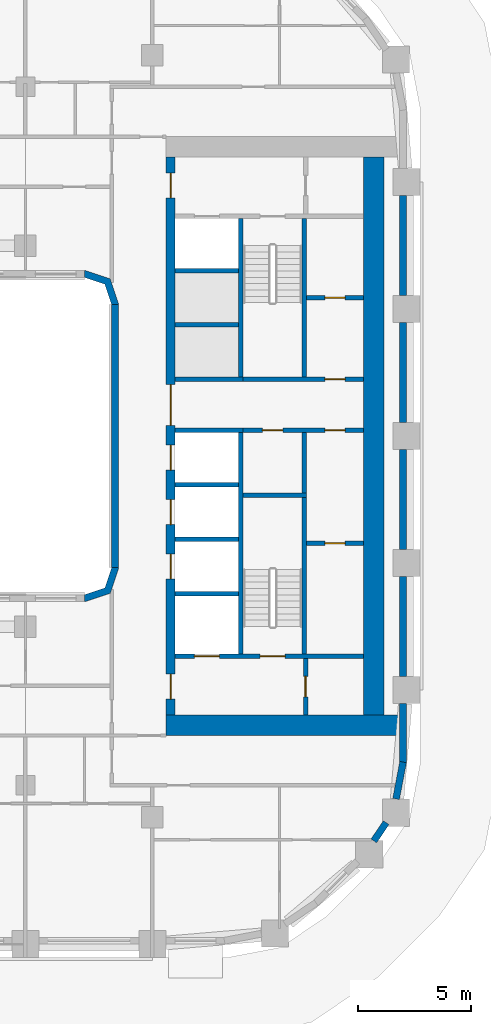
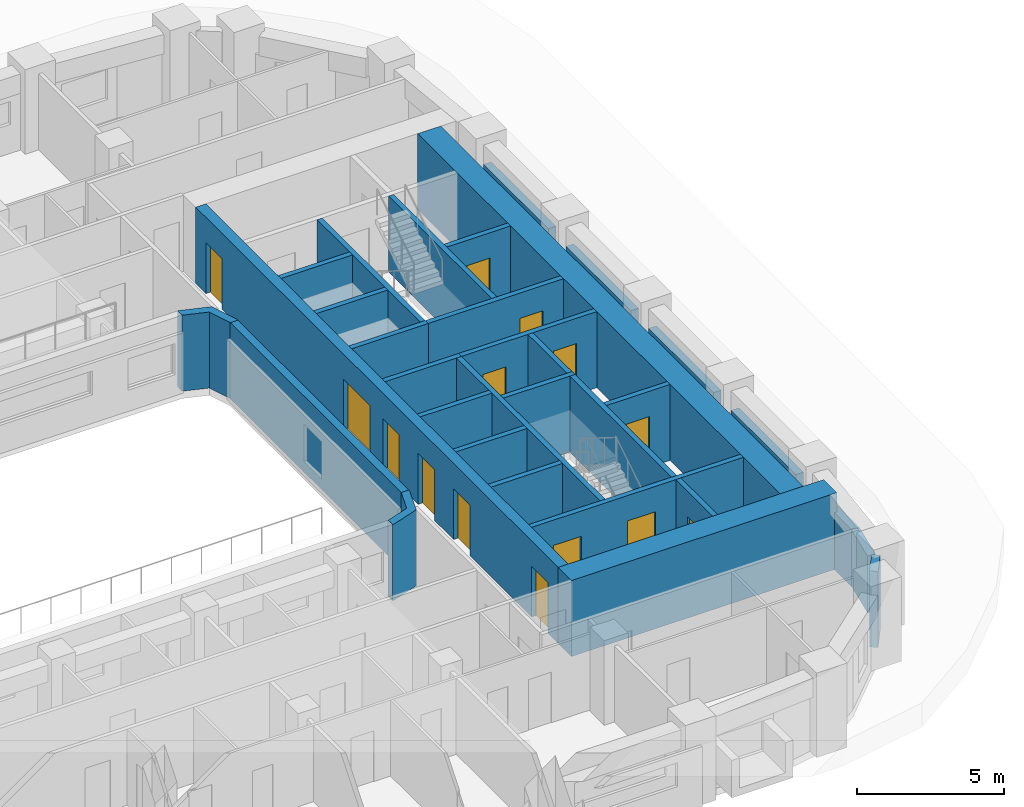
# One storey, part 7 of 18: 32 walls, 14 doors, 14 openings.
"""IFC4 building model written with IfcOpenShell, lengths in metres."""

from ifc_helpers import new_model, si_unit, direction, frame, frame_2d, origin, place, context, subcontext, project, spatial, polyline, rectangle, outline, extrude, material, layer, layer_set, type_object, element, fill, save


model = new_model("IFC4")

# Units and contexts
model_context = context("Model", 3, precision=1e-05, world=origin(), true_north=direction((0.0, 1.0)))
body_context = subcontext(model_context, "Body", "Model", "MODEL_VIEW")
ifc_project = project(units=[si_unit("LENGTHUNIT", "METRE"), si_unit("AREAUNIT", "SQUARE_METRE"), si_unit("VOLUMEUNIT", "CUBIC_METRE"), si_unit("PLANEANGLEUNIT", "RADIAN"), si_unit("MASSUNIT", "GRAM", prefix="KILO")], contexts=[model_context])

# Site, building, storey
site_placement = place(None, origin())
site = spatial("IfcSite", under=ifc_project, at=site_placement, CompositionType="ELEMENT")
building_placement = place(site_placement, origin())
building = spatial("IfcBuilding", under=site, at=building_placement, Name="Kiln Ring Residences", CompositionType="ELEMENT")
storey_placement = place(building_placement, frame((0.0, 0.0, 121.800048828125)))
storey = spatial("IfcBuildingStorey", under=building, at=storey_placement, Name="L31", CompositionType="ELEMENT", Elevation=121.800048828125)

# Wall
ifc_material_1 = material(Name="Gypsum board on steel studs", Category="steel")
ifc_layer_1 = layer(ifc_material_1, 0.199951171875)
ifc_layer_set_1 = layer_set([ifc_layer_1], Name="CORE-PARTITION-200")
wall_type_1 = type_object("IfcWallType", Name="CORE-PARTITION-200", PredefinedType="PARTITIONING", material=ifc_layer_set_1)
wall_1_placement = place(storey_placement, frame((23.5, -2.5, 0.0), z_axis=(0.0, 0.0, 1.0), x_axis=(0.0, 1.0, 0.0)))
element("IfcWall", 1, at=wall_1_placement, inside=storey, type_object=wall_type_1, Name="Core partition east L31 1", PredefinedType="PARTITIONING", context=body_context, shape_type="SweptSolid", body=[
    extrude(rectangle(XDim=2.64990234375, YDim=0.199951171875, at=frame_2d((1.324951171875, 0.0))), origin(), (0.0, 0.0, 1.0), 3.14990234375),
])

# Wall, openings, doors
wall_2_placement = place(storey_placement, frame((20.800048828125, 0.25, 0.0), z_axis=(0.0, 0.0, 1.0), x_axis=(1.0, 0.0, 0.0)))
wall_2 = element("IfcWall", 2, at=wall_2_placement, inside=storey, type_object=wall_type_1, Name="Core partition east L31 2", PredefinedType="PARTITIONING", context=body_context, shape_type="SweptSolid", body=[
    extrude(rectangle(XDim=5.300048828125, YDim=0.199951171875, at=frame_2d((2.64990234375, 0.0))), origin(), (0.0, 0.0, 1.0), 3.14990234375),
])
opening_1_placement = place(wall_2_placement, frame((0.85009765625, 0.0, 0.0)))
opening_1 = element("IfcOpeningElement", 3, at=opening_1_placement, cuts=wall_2, Name="Opening L31-CE13", PredefinedType="OPENING", context=body_context, shape_type="SweptSolid", body=[
    extrude(rectangle(XDim=0.89990234375, YDim=2.10009765625, at=frame_2d((0.449951171875, 1.050048828125))), frame((0.0, 0.10986328125, 0.0), z_axis=(0.0, -1.0, 0.0), x_axis=(1.0, 0.0, 0.0)), (0.0, 0.0, 1.0), 0.219970703125),
])
opening_2_placement = place(wall_2_placement, frame((3.60009765625, 0.0, 0.0)))
opening_2 = element("IfcOpeningElement", 4, at=opening_2_placement, cuts=wall_2, Name="Opening L31-CE15", PredefinedType="OPENING", context=body_context, shape_type="SweptSolid", body=[
    extrude(rectangle(XDim=0.89990234375, YDim=2.10009765625, at=frame_2d((0.449951171875, 1.050048828125))), frame((0.0, 0.10986328125, 0.0), z_axis=(0.0, -1.0, 0.0), x_axis=(1.0, 0.0, 0.0)), (0.0, 0.0, 1.0), 0.219970703125),
])
ifc_material_2 = material(Name="Steel door leaf", Category="steel")
door_type_1 = type_object("IfcDoorType", Name="CORE-DOOR-ROOM", OperationType="SINGLE_SWING_LEFT", PredefinedType="DOOR", material=ifc_material_2)
door_1_placement = place(opening_1_placement, origin())
door_1 = element("IfcDoor", 5, at=door_1_placement, inside=storey, type_object=door_type_1, Name="Comms room L31-CE13", OperationType="SINGLE_SWING_RIGHT", OverallHeight=2.10009765625, OverallWidth=0.89990234375, PredefinedType="DOOR", context=body_context, shape_type="SweptSolid", body=[
    extrude(rectangle(XDim=0.89990234375, YDim=2.10009765625, at=frame_2d((0.449951171875, 1.050048828125))), frame((0.0, 0.02490234375, 0.0), z_axis=(0.0, -1.0, 0.0), x_axis=(1.0, 0.0, 0.0)), (0.0, 0.0, 1.0), 0.050048828125),
])
fill(opening_1, door_1)
door_2_placement = place(opening_2_placement, origin())
door_2 = element("IfcDoor", 6, at=door_2_placement, inside=storey, type_object=door_type_1, Name="Meter room L31-CE15", OperationType="SINGLE_SWING_RIGHT", OverallHeight=2.10009765625, OverallWidth=0.89990234375, PredefinedType="DOOR", context=body_context, shape_type="SweptSolid", body=[
    extrude(rectangle(XDim=0.89990234375, YDim=2.10009765625, at=frame_2d((0.449951171875, 1.050048828125))), frame((0.0, 0.02490234375, 0.0), z_axis=(0.0, -1.0, 0.0), x_axis=(1.0, 0.0, 0.0)), (0.0, 0.0, 1.0), 0.050048828125),
])
fill(opening_2, door_2)

# Wall, opening, door
wall_3_placement = place(storey_placement, frame((23.550048828125, -12.300048828125, 0.0), z_axis=(0.0, 0.0, 1.0), x_axis=(0.0, 1.0, 0.0)))
wall_3 = element("IfcWall", 7, at=wall_3_placement, inside=storey, type_object=wall_type_1, Name="Core partition east L31 4", PredefinedType="PARTITIONING", context=body_context, shape_type="SweptSolid", body=[
    extrude(rectangle(XDim=2.5, YDim=0.199951171875, at=frame_2d((1.25, 0.0))), origin(), (0.0, 0.0, 1.0), 3.14990234375),
])
opening_3_placement = place(wall_3_placement, frame((0.800048828125, 0.0, 0.0)))
opening_3 = element("IfcOpeningElement", 8, at=opening_3_placement, cuts=wall_3, Name="Opening L31-CE09", PredefinedType="OPENING", context=body_context, shape_type="SweptSolid", body=[
    extrude(rectangle(XDim=0.89990234375, YDim=2.10009765625, at=frame_2d((0.449951171875, 1.050048828125))), frame((0.0, 0.10986328125, 0.0), z_axis=(0.0, -1.0, 0.0), x_axis=(1.0, 0.0, 0.0)), (0.0, 0.0, 1.0), 0.219970703125),
])
door_3_placement = place(opening_3_placement, origin())
door_3 = element("IfcDoor", 9, at=door_3_placement, inside=storey, type_object=door_type_1, Name="Store L31-CE09", OperationType="SINGLE_SWING_RIGHT", OverallHeight=2.10009765625, OverallWidth=0.89990234375, PredefinedType="DOOR", context=body_context, shape_type="SweptSolid", body=[
    extrude(rectangle(XDim=0.89990234375, YDim=2.10009765625, at=frame_2d((0.449951171875, 1.050048828125))), frame((0.0, 0.02490234375, 0.0), z_axis=(0.0, -1.0, 0.0), x_axis=(1.0, 0.0, 0.0)), (0.0, 0.0, 1.0), 0.050048828125),
])
fill(opening_3, door_3)

wall_4_placement = place(storey_placement, frame((23.60009765625, -4.72509765625, 0.0), z_axis=(0.0, 0.0, 1.0), x_axis=(1.0, 0.0, 0.0)))
wall_4 = element("IfcWall", 10, at=wall_4_placement, inside=storey, type_object=wall_type_1, Name="Core partition east L31 5", PredefinedType="PARTITIONING", context=body_context, shape_type="SweptSolid", body=[
    extrude(rectangle(XDim=2.5, YDim=0.199951171875, at=frame_2d((1.25, 0.0))), origin(), (0.0, 0.0, 1.0), 3.14990234375),
])
opening_4_placement = place(wall_4_placement, frame((0.800048828125, 0.0, 0.0)))
opening_4 = element("IfcOpeningElement", 11, at=opening_4_placement, cuts=wall_4, Name="Opening L31-CE14", PredefinedType="OPENING", context=body_context, shape_type="SweptSolid", body=[
    extrude(rectangle(XDim=0.89990234375, YDim=2.10009765625, at=frame_2d((0.449951171875, 1.050048828125))), frame((0.0, 0.10986328125, 0.0), z_axis=(0.0, -1.0, 0.0), x_axis=(1.0, 0.0, 0.0)), (0.0, 0.0, 1.0), 0.219970703125),
])
door_4_placement = place(opening_4_placement, origin())
door_4 = element("IfcDoor", 12, at=door_4_placement, inside=storey, type_object=door_type_1, Name="Meter room L31-CE14", OperationType="SINGLE_SWING_RIGHT", OverallHeight=2.10009765625, OverallWidth=0.89990234375, PredefinedType="DOOR", context=body_context, shape_type="SweptSolid", body=[
    extrude(rectangle(XDim=0.89990234375, YDim=2.10009765625, at=frame_2d((0.449951171875, 1.050048828125))), frame((0.0, 0.02490234375, 0.0), z_axis=(0.0, -1.0, 0.0), x_axis=(1.0, 0.0, 0.0)), (0.0, 0.0, 1.0), 0.050048828125),
])
fill(opening_4, door_4)

wall_5_placement = place(storey_placement, frame((23.60009765625, 6.10009765625, 0.0), z_axis=(0.0, 0.0, 1.0), x_axis=(1.0, 0.0, 0.0)))
wall_5 = element("IfcWall", 13, at=wall_5_placement, inside=storey, type_object=wall_type_1, Name="Core partition east L31 6", PredefinedType="PARTITIONING", context=body_context, shape_type="SweptSolid", body=[
    extrude(rectangle(XDim=2.5, YDim=0.199951171875, at=frame_2d((1.25, 0.0))), origin(), (0.0, 0.0, 1.0), 3.14990234375),
])
opening_5_placement = place(wall_5_placement, frame((0.800048828125, 0.0, 0.0)))
opening_5 = element("IfcOpeningElement", 14, at=opening_5_placement, cuts=wall_5, Name="Opening L31-CE16", PredefinedType="OPENING", context=body_context, shape_type="SweptSolid", body=[
    extrude(rectangle(XDim=0.89990234375, YDim=2.10009765625, at=frame_2d((0.449951171875, 1.050048828125))), frame((0.0, 0.10986328125, 0.0), z_axis=(0.0, -1.0, 0.0), x_axis=(1.0, 0.0, 0.0)), (0.0, 0.0, 1.0), 0.219970703125),
])
door_5_placement = place(opening_5_placement, origin())
door_5 = element("IfcDoor", 15, at=door_5_placement, inside=storey, type_object=door_type_1, Name="Comms room L31-CE16", OperationType="SINGLE_SWING_RIGHT", OverallHeight=2.10009765625, OverallWidth=0.89990234375, PredefinedType="DOOR", context=body_context, shape_type="SweptSolid", body=[
    extrude(rectangle(XDim=0.89990234375, YDim=2.10009765625, at=frame_2d((0.449951171875, 1.050048828125))), frame((0.0, 0.02490234375, 0.0), z_axis=(0.0, -1.0, 0.0), x_axis=(1.0, 0.0, 0.0)), (0.0, 0.0, 1.0), 0.050048828125),
])
fill(opening_5, door_5)

# Walls
ifc_material_3 = material(Name="Gypsum shaft wall system")
ifc_layer_2 = layer(ifc_material_3, 0.199951171875)
ifc_layer_set_2 = layer_set([ifc_layer_2], Name="CORE-SHAFT-WALL-200")
wall_type_2 = type_object("IfcWallType", Name="CORE-SHAFT-WALL-200", PredefinedType="PARTITIONING", material=ifc_layer_set_2)
for number, where, z_axis, x_axis, name in (
    (16, (17.800048828125, -6.949951171875, 0.0), (0.0, 0.0, 1.0), (1.0, 0.0, 0.0), "Core partition east L31 7"),
    (17, (17.800048828125, -4.550048828125, 0.0), (0.0, 0.0, 1.0), (1.0, 0.0, 0.0), "Core partition east L31 8"),
    (18, (17.800048828125, -2.14990234375, 0.0), (0.0, 0.0, 1.0), (1.0, 0.0, 0.0), "Core partition east L31 9"),
):
    element("IfcWall", number, at=place(storey_placement, frame(where, z_axis=z_axis, x_axis=x_axis)), inside=storey, type_object=wall_type_2, Name=name, PredefinedType="PARTITIONING", context=body_context, shape_type="SweptSolid", body=[
        extrude(rectangle(XDim=2.800048828125, YDim=0.199951171875, at=frame_2d((1.39990234375, 0.0))), origin(), (0.0, 0.0, 1.0), 3.14990234375),
    ])
for number, where, z_axis, x_axis, name in (
    (19, (17.800048828125, 0.25, 0.0), (0.0, 0.0, 1.0), (1.0, 0.0, 0.0), "Core partition east L31 10"),
    (20, (17.800048828125, 2.5, 0.0), (0.0, 0.0, 1.0), (1.0, 0.0, 0.0), "Core partition east L31 11"),
):
    element("IfcWall", number, at=place(storey_placement, frame(where, z_axis=z_axis, x_axis=x_axis)), inside=storey, type_object=wall_type_2, Name=name, PredefinedType="PARTITIONING", context=body_context, shape_type="SweptSolid", body=[
        extrude(rectangle(XDim=3.0, YDim=0.199951171875, at=frame_2d((1.5, 0.0))), origin(), (0.0, 0.0, 1.0), 3.14990234375),
    ])
for number, where, z_axis, x_axis, name in (
    (21, (17.800048828125, 4.89990234375, 0.0), (0.0, 0.0, 1.0), (1.0, 0.0, 0.0), "Core partition east L31 12"),
    (22, (17.800048828125, 7.300048828125, 0.0), (0.0, 0.0, 1.0), (1.0, 0.0, 0.0), "Core partition east L31 13"),
):
    element("IfcWall", number, at=place(storey_placement, frame(where, z_axis=z_axis, x_axis=x_axis)), inside=storey, type_object=wall_type_2, Name=name, PredefinedType="PARTITIONING", context=body_context, shape_type="SweptSolid", body=[
        extrude(rectangle(XDim=2.800048828125, YDim=0.199951171875, at=frame_2d((1.39990234375, 0.0))), origin(), (0.0, 0.0, 1.0), 3.14990234375),
    ])
ifc_material_4 = material(Name="Concrete C40/50", Category="concrete")
ifc_layer_3 = layer(ifc_material_4, 0.199951171875)
ifc_layer_set_3 = layer_set([ifc_layer_3], Name="CORE-WALL-RC200")
wall_type_3 = type_object("IfcWallType", Name="CORE-WALL-RC200", PredefinedType="SHEAR", material=ifc_layer_set_3)
wall_6_placement = place(storey_placement, frame((20.699951171875, 2.60009765625, 0.0), z_axis=(0.0, 0.0, 1.0), x_axis=(0.0, 1.0, 0.0)))
element("IfcWall", 23, at=wall_6_placement, inside=storey, type_object=wall_type_3, Name="Core wall east L31 1", PredefinedType="SHEAR", context=body_context, shape_type="SweptSolid", body=[
    extrude(rectangle(XDim=7.0, YDim=0.199951171875, at=frame_2d((3.5, 0.0))), origin(), (0.0, 0.0, 1.0), 3.14990234375),
])
wall_7_placement = place(storey_placement, frame((20.699951171875, -9.60009765625, 0.0), z_axis=(0.0, 0.0, 1.0), x_axis=(0.0, 1.0, 0.0)))
element("IfcWall", 24, at=wall_7_placement, inside=storey, type_object=wall_type_3, Name="Core wall east L31 2", PredefinedType="SHEAR", context=body_context, shape_type="SweptSolid", body=[
    extrude(rectangle(XDim=9.75, YDim=0.199951171875, at=frame_2d((4.875, 0.0))), origin(), (0.0, 0.0, 1.0), 3.14990234375),
])

# Wall, opening, door
wall_8_placement = place(storey_placement, frame((20.800048828125, 2.5, 0.0), z_axis=(0.0, 0.0, 1.0), x_axis=(1.0, 0.0, 0.0)))
wall_8 = element("IfcWall", 25, at=wall_8_placement, inside=storey, type_object=wall_type_3, Name="Core wall east L31 3", PredefinedType="SHEAR", context=body_context, shape_type="SweptSolid", body=[
    extrude(rectangle(XDim=5.300048828125, YDim=0.199951171875, at=frame_2d((2.64990234375, 0.0))), origin(), (0.0, 0.0, 1.0), 3.14990234375),
])
opening_6_placement = place(wall_8_placement, frame((3.60009765625, 0.0, 0.0)))
opening_6 = element("IfcOpeningElement", 26, at=opening_6_placement, cuts=wall_8, Name="Opening L31-CE17", PredefinedType="OPENING", context=body_context, shape_type="SweptSolid", body=[
    extrude(rectangle(XDim=0.89990234375, YDim=2.10009765625, at=frame_2d((0.449951171875, 1.050048828125))), frame((0.0, 0.10986328125, 0.0), z_axis=(0.0, -1.0, 0.0), x_axis=(1.0, 0.0, 0.0)), (0.0, 0.0, 1.0), 0.219970703125),
])
door_6_placement = place(opening_6_placement, origin())
door_6 = element("IfcDoor", 27, at=door_6_placement, inside=storey, type_object=door_type_1, Name="Electrical plant room L31-CE17", OperationType="SINGLE_SWING_LEFT", OverallHeight=2.10009765625, OverallWidth=0.89990234375, PredefinedType="DOOR", context=body_context, shape_type="SweptSolid", body=[
    extrude(rectangle(XDim=0.89990234375, YDim=2.10009765625, at=frame_2d((0.449951171875, 1.050048828125))), frame((0.0, 0.02490234375, 0.0), z_axis=(0.0, -1.0, 0.0), x_axis=(1.0, 0.0, 0.0)), (0.0, 0.0, 1.0), 0.050048828125),
])
fill(opening_6, door_6)

# Wall, openings, doors
wall_9_placement = place(storey_placement, frame((17.800048828125, -9.699951171875, 0.0), z_axis=(0.0, 0.0, 1.0), x_axis=(1.0, 0.0, 0.0)))
wall_9 = element("IfcWall", 28, at=wall_9_placement, inside=storey, type_object=wall_type_3, Name="Core wall east L31 8", PredefinedType="SHEAR", context=body_context, shape_type="SweptSolid", body=[
    extrude(rectangle(XDim=8.300048828125, YDim=0.199951171875, at=frame_2d((4.14990234375, 0.0))), origin(), (0.0, 0.0, 1.0), 3.14990234375),
])
opening_7_placement = place(wall_9_placement, frame((0.85009765625, 0.0, 0.0)))
opening_7 = element("IfcOpeningElement", 29, at=opening_7_placement, cuts=wall_9, Name="Opening L31-CE01", PredefinedType="OPENING", context=body_context, shape_type="SweptSolid", body=[
    extrude(rectangle(XDim=1.10009765625, YDim=2.10009765625, at=frame_2d((0.550048828125, 1.050048828125))), frame((0.0, 0.10986328125, 0.0), z_axis=(0.0, -1.0, 0.0), x_axis=(1.0, 0.0, 0.0)), (0.0, 0.0, 1.0), 0.219970703125),
])
opening_8_placement = place(wall_9_placement, frame((3.75, 0.0, 0.0)))
opening_8 = element("IfcOpeningElement", 30, at=opening_8_placement, cuts=wall_9, Name="Opening L31-CE11", PredefinedType="OPENING", context=body_context, shape_type="SweptSolid", body=[
    extrude(rectangle(XDim=1.10009765625, YDim=2.10009765625, at=frame_2d((0.550048828125, 1.050048828125))), frame((0.0, 0.10986328125, 0.0), z_axis=(0.0, -1.0, 0.0), x_axis=(1.0, 0.0, 0.0)), (0.0, 0.0, 1.0), 0.219970703125),
])
ifc_material_5 = material(Name="Steel door leaf", Category="steel")
door_type_2 = type_object("IfcDoorType", Name="CORE-DOOR-LD", OperationType="DOUBLE_DOOR_SLIDING", PredefinedType="DOOR", material=ifc_material_5)
door_7_placement = place(opening_7_placement, origin())
door_7 = element("IfcDoor", 31, at=door_7_placement, inside=storey, type_object=door_type_2, Name="LD E-SV L31-CE01", OperationType="DOUBLE_DOOR_SLIDING", OverallHeight=2.10009765625, OverallWidth=1.10009765625, PredefinedType="DOOR", context=body_context, shape_type="SweptSolid", body=[
    extrude(rectangle(XDim=1.10009765625, YDim=2.10009765625, at=frame_2d((0.550048828125, 1.050048828125))), frame((0.0, 0.02490234375, 0.0), z_axis=(0.0, -1.0, 0.0), x_axis=(1.0, 0.0, 0.0)), (0.0, 0.0, 1.0), 0.050048828125),
])
fill(opening_7, door_7)
ifc_material_6 = material(Name="Steel door leaf", Category="steel")
door_type_3 = type_object("IfcDoorType", Name="CORE-DOOR-STAIR", OperationType="SINGLE_SWING_LEFT", PredefinedType="DOOR", material=ifc_material_6)
door_8_placement = place(opening_8_placement, origin())
door_8 = element("IfcDoor", 32, at=door_8_placement, inside=storey, type_object=door_type_3, Name="Stair E-STS L31-CE11", OperationType="SINGLE_SWING_LEFT", OverallHeight=2.10009765625, OverallWidth=1.10009765625, PredefinedType="DOOR", context=body_context, shape_type="SweptSolid", body=[
    extrude(rectangle(XDim=1.10009765625, YDim=2.10009765625, at=frame_2d((0.550048828125, 1.050048828125))), frame((0.0, 0.02490234375, 0.0), z_axis=(0.0, -1.0, 0.0), x_axis=(1.0, 0.0, 0.0)), (0.0, 0.0, 1.0), 0.050048828125),
])
fill(opening_8, door_8)

# Walls
wall_10_placement = place(storey_placement, frame((23.5, 2.60009765625, 0.0), z_axis=(0.0, 0.0, 1.0), x_axis=(0.0, 1.0, 0.0)))
element("IfcWall", 33, at=wall_10_placement, inside=storey, type_object=wall_type_3, Name="Core wall east L31 10", PredefinedType="SHEAR", context=body_context, shape_type="SweptSolid", body=[
    extrude(rectangle(XDim=7.0, YDim=0.199951171875, at=frame_2d((3.5, 0.0))), origin(), (0.0, 0.0, 1.0), 3.14990234375),
])
wall_11_placement = place(storey_placement, frame((23.5, -9.60009765625, 0.0), z_axis=(0.0, 0.0, 1.0), x_axis=(0.0, 1.0, 0.0)))
element("IfcWall", 34, at=wall_11_placement, inside=storey, type_object=wall_type_3, Name="Core wall east L31 11", PredefinedType="SHEAR", context=body_context, shape_type="SweptSolid", body=[
    extrude(rectangle(XDim=6.900146484375, YDim=0.199951171875, at=frame_2d((3.4501953125, 0.0))), origin(), (0.0, 0.0, 1.0), 3.14990234375),
])
wall_12_placement = place(storey_placement, frame((20.800048828125, -2.60009765625, 0.0), z_axis=(0.0, 0.0, 1.0), x_axis=(1.0, 0.0, 0.0)))
element("IfcWall", 35, at=wall_12_placement, inside=storey, type_object=wall_type_3, Name="Core wall east L31 12", PredefinedType="SHEAR", context=body_context, shape_type="SweptSolid", body=[
    extrude(rectangle(XDim=2.800048828125, YDim=0.199951171875, at=frame_2d((1.39990234375, 0.0))), origin(), (0.0, 0.0, 1.0), 3.14990234375),
])

# Wall, openings, doors
ifc_material_7 = material(Name="Concrete C60/75", Category="concrete")
ifc_layer_4 = layer(ifc_material_7, 0.39990234375)
ifc_layer_set_4 = layer_set([ifc_layer_4], Name="CORE-WALL-RC400")
wall_type_4 = type_object("IfcWallType", Name="CORE-WALL-RC400", PredefinedType="SHEAR", material=ifc_layer_set_4)
wall_13_placement = place(storey_placement, frame((17.60009765625, -12.300048828125, 0.0), z_axis=(0.0, 0.0, 1.0), x_axis=(0.0, 1.0, 0.0)))
wall_13 = element("IfcWall", 36, at=wall_13_placement, inside=storey, type_object=wall_type_4, Name="Core wall east L31 6", PredefinedType="SHEAR", context=body_context, shape_type="SweptSolid", body=[
    extrude(rectangle(XDim=24.60009765625, YDim=0.39990234375, at=frame_2d((12.300048828125, 0.0))), origin(), (0.0, 0.0, 1.0), 3.14990234375),
])
opening_9_placement = place(wall_13_placement, frame((6.0, 0.0, 0.0)))
opening_9 = element("IfcOpeningElement", 37, at=opening_9_placement, cuts=wall_13, Name="Opening L31-CE02", PredefinedType="OPENING", context=body_context, shape_type="SweptSolid", body=[
    extrude(rectangle(XDim=1.10009765625, YDim=2.10009765625, at=frame_2d((0.550048828125, 1.050048828125))), frame((0.0, 0.2099609375, 0.0), z_axis=(0.0, -1.0, 0.0), x_axis=(1.0, 0.0, 0.0)), (0.0, 0.0, 1.0), 0.419921875),
])
opening_10_placement = place(wall_13_placement, frame((8.39990234375, 0.0, 0.0)))
opening_10 = element("IfcOpeningElement", 38, at=opening_10_placement, cuts=wall_13, Name="Opening L31-CE03", PredefinedType="OPENING", context=body_context, shape_type="SweptSolid", body=[
    extrude(rectangle(XDim=1.10009765625, YDim=2.10009765625, at=frame_2d((0.550048828125, 1.050048828125))), frame((0.0, 0.2099609375, 0.0), z_axis=(0.0, -1.0, 0.0), x_axis=(1.0, 0.0, 0.0)), (0.0, 0.0, 1.0), 0.419921875),
])
opening_11_placement = place(wall_13_placement, frame((10.800048828125, 0.0, 0.0)))
opening_11 = element("IfcOpeningElement", 39, at=opening_11_placement, cuts=wall_13, Name="Opening L31-CE04", PredefinedType="OPENING", context=body_context, shape_type="SweptSolid", body=[
    extrude(rectangle(XDim=1.10009765625, YDim=2.10009765625, at=frame_2d((0.550048828125, 1.050048828125))), frame((0.0, 0.2099609375, 0.0), z_axis=(0.0, -1.0, 0.0), x_axis=(1.0, 0.0, 0.0)), (0.0, 0.0, 1.0), 0.419921875),
])
opening_12_placement = place(wall_13_placement, frame((22.800048828125, 0.0, 0.0)))
opening_12 = element("IfcOpeningElement", 40, at=opening_12_placement, cuts=wall_13, Name="Opening L31-CE06", PredefinedType="OPENING", context=body_context, shape_type="SweptSolid", body=[
    extrude(rectangle(XDim=1.10009765625, YDim=2.10009765625, at=frame_2d((0.550048828125, 1.050048828125))), frame((0.0, 0.2099609375, 0.0), z_axis=(0.0, -1.0, 0.0), x_axis=(1.0, 0.0, 0.0)), (0.0, 0.0, 1.0), 0.419921875),
])
opening_13_placement = place(wall_13_placement, frame((0.699951171875, 0.0, 0.0)))
opening_13 = element("IfcOpeningElement", 41, at=opening_13_placement, cuts=wall_13, Name="Opening L31-CE07", PredefinedType="OPENING", context=body_context, shape_type="SweptSolid", body=[
    extrude(rectangle(XDim=1.10009765625, YDim=2.10009765625, at=frame_2d((0.550048828125, 1.050048828125))), frame((0.0, 0.2099609375, 0.0), z_axis=(0.0, -1.0, 0.0), x_axis=(1.0, 0.0, 0.0)), (0.0, 0.0, 1.0), 0.419921875),
])
opening_14_placement = place(wall_13_placement, frame((12.77490234375, 0.0, 0.0)))
opening_14 = element("IfcOpeningElement", 42, at=opening_14_placement, cuts=wall_13, Name="Opening L31-CE12", PredefinedType="OPENING", context=body_context, shape_type="SweptSolid", body=[
    extrude(rectangle(XDim=1.800048828125, YDim=2.10009765625, at=frame_2d((0.89990234375, 1.050048828125))), frame((0.0, 0.2099609375, 0.0), z_axis=(0.0, -1.0, 0.0), x_axis=(1.0, 0.0, 0.0)), (0.0, 0.0, 1.0), 0.419921875),
])
door_9_placement = place(opening_9_placement, origin())
door_9 = element("IfcDoor", 43, at=door_9_placement, inside=storey, type_object=door_type_2, Name="LD E-L1 L31-CE02", OperationType="DOUBLE_DOOR_SLIDING", OverallHeight=2.10009765625, OverallWidth=1.10009765625, PredefinedType="DOOR", context=body_context, shape_type="SweptSolid", body=[
    extrude(rectangle(XDim=1.10009765625, YDim=2.10009765625, at=frame_2d((0.550048828125, 1.050048828125))), frame((0.0, 0.02490234375, 0.0), z_axis=(0.0, -1.0, 0.0), x_axis=(1.0, 0.0, 0.0)), (0.0, 0.0, 1.0), 0.050048828125),
])
fill(opening_9, door_9)
door_10_placement = place(opening_10_placement, origin())
door_10 = element("IfcDoor", 44, at=door_10_placement, inside=storey, type_object=door_type_2, Name="LD E-L2 L31-CE03", OperationType="DOUBLE_DOOR_SLIDING", OverallHeight=2.10009765625, OverallWidth=1.10009765625, PredefinedType="DOOR", context=body_context, shape_type="SweptSolid", body=[
    extrude(rectangle(XDim=1.10009765625, YDim=2.10009765625, at=frame_2d((0.550048828125, 1.050048828125))), frame((0.0, 0.02490234375, 0.0), z_axis=(0.0, -1.0, 0.0), x_axis=(1.0, 0.0, 0.0)), (0.0, 0.0, 1.0), 0.050048828125),
])
fill(opening_10, door_10)
door_11_placement = place(opening_11_placement, origin())
door_11 = element("IfcDoor", 45, at=door_11_placement, inside=storey, type_object=door_type_2, Name="LD E-L3 L31-CE04", OperationType="DOUBLE_DOOR_SLIDING", OverallHeight=2.10009765625, OverallWidth=1.10009765625, PredefinedType="DOOR", context=body_context, shape_type="SweptSolid", body=[
    extrude(rectangle(XDim=1.10009765625, YDim=2.10009765625, at=frame_2d((0.550048828125, 1.050048828125))), frame((0.0, 0.02490234375, 0.0), z_axis=(0.0, -1.0, 0.0), x_axis=(1.0, 0.0, 0.0)), (0.0, 0.0, 1.0), 0.050048828125),
])
fill(opening_11, door_11)
ifc_material_8 = material(Name="Steel door leaf", Category="steel")
door_type_4 = type_object("IfcDoorType", Name="CORE-DOOR-LOBBY", OperationType="SINGLE_SWING_LEFT", PredefinedType="DOOR", material=ifc_material_8)
door_12_placement = place(opening_12_placement, origin())
door_12 = element("IfcDoor", 46, at=door_12_placement, inside=storey, type_object=door_type_4, Name="FFL L31-CE06", OperationType="SINGLE_SWING_RIGHT", OverallHeight=2.10009765625, OverallWidth=1.10009765625, PredefinedType="DOOR", context=body_context, shape_type="SweptSolid", body=[
    extrude(rectangle(XDim=1.10009765625, YDim=2.10009765625, at=frame_2d((0.550048828125, 1.050048828125))), frame((0.0, 0.02490234375, 0.0), z_axis=(0.0, -1.0, 0.0), x_axis=(1.0, 0.0, 0.0)), (0.0, 0.0, 1.0), 0.050048828125),
])
fill(opening_12, door_12)
door_13_placement = place(opening_13_placement, origin())
door_13 = element("IfcDoor", 47, at=door_13_placement, inside=storey, type_object=door_type_4, Name="SVL L31-CE07", OperationType="SINGLE_SWING_LEFT", OverallHeight=2.10009765625, OverallWidth=1.10009765625, PredefinedType="DOOR", context=body_context, shape_type="SweptSolid", body=[
    extrude(rectangle(XDim=1.10009765625, YDim=2.10009765625, at=frame_2d((0.550048828125, 1.050048828125))), frame((0.0, 0.02490234375, 0.0), z_axis=(0.0, -1.0, 0.0), x_axis=(1.0, 0.0, 0.0)), (0.0, 0.0, 1.0), 0.050048828125),
])
fill(opening_13, door_13)
ifc_material_9 = material(Name="Steel door leaf", Category="steel")
door_type_5 = type_object("IfcDoorType", Name="CORE-DOOR-PASS", OperationType="DOUBLE_DOOR_SINGLE_SWING", PredefinedType="DOOR", material=ifc_material_9)
door_14_placement = place(opening_14_placement, origin())
door_14 = element("IfcDoor", 48, at=door_14_placement, inside=storey, type_object=door_type_5, Name="Core passage L31-CE12", OperationType="DOUBLE_DOOR_SINGLE_SWING", OverallHeight=2.10009765625, OverallWidth=1.800048828125, PredefinedType="DOOR", context=body_context, shape_type="SweptSolid", body=[
    extrude(rectangle(XDim=1.800048828125, YDim=2.10009765625, at=frame_2d((0.89990234375, 1.050048828125))), frame((0.0, 0.02490234375, 0.0), z_axis=(0.0, -1.0, 0.0), x_axis=(1.0, 0.0, 0.0)), (0.0, 0.0, 1.0), 0.050048828125),
])
fill(opening_14, door_14)

# Walls
ifc_material_10 = material(Name="Concrete C60/75", Category="concrete")
ifc_layer_5 = layer(ifc_material_10, 0.89990234375)
ifc_layer_set_5 = layer_set([ifc_layer_5], Name="CORE-WALL-RC900")
wall_type_5 = type_object("IfcWallType", Name="CORE-WALL-RC900", PredefinedType="SHEAR", material=ifc_layer_set_5)
wall_14_placement = place(storey_placement, frame((17.39990234375, -12.75, 0.0), z_axis=(0.0, 0.0, 1.0), x_axis=(1.0, 0.0, 0.0)))
element("IfcWall", 49, at=wall_14_placement, inside=storey, type_object=wall_type_5, Name="Core wall east L31 5", PredefinedType="SHEAR", context=body_context, shape_type="SweptSolid", body=[
    extrude(rectangle(XDim=10.400146484375, YDim=0.89990234375, at=frame_2d((5.2001953125, 0.0))), origin(), (0.0, 0.0, 1.0), 3.14990234375),
])
wall_15_placement = place(storey_placement, frame((26.550048828125, -12.300048828125, 0.0), z_axis=(0.0, 0.0, 1.0), x_axis=(0.0, 1.0, 0.0)))
element("IfcWall", 50, at=wall_15_placement, inside=storey, type_object=wall_type_5, Name="Core wall east L31 7", PredefinedType="SHEAR", context=body_context, shape_type="SweptSolid", body=[
    extrude(rectangle(XDim=24.60009765625, YDim=0.89990234375, at=frame_2d((12.300048828125, 0.0))), origin(), (0.0, 0.0, 1.0), 3.14990234375),
])
ifc_material_11 = material(Name="Brick masonry, dark clay brick", Category="masonry")
ifc_layer_6 = layer(ifc_material_11, 0.300048828125)
ifc_layer_set_6 = layer_set([ifc_layer_6], Name="EW-300 BRICK WALL")
wall_type_6 = type_object("IfcWallType", Name="EW-300 BRICK WALL", PredefinedType="SOLIDWALL", material=ifc_layer_set_6)
wall_16_placement = place(storey_placement, frame((26.560546875, -17.85107421875, 0.0), z_axis=(0.0, 0.0, 1.0), x_axis=(0.562173331661, 0.827019434577, 0.0)))
element("IfcWall", 51, at=wall_16_placement, inside=storey, type_object=wall_type_6, Name="Facade wall L31 15", PredefinedType="SOLIDWALL", context=body_context, shape_type="SweptSolid", body=[
    extrude(rectangle(XDim=0.97705078125, YDim=0.300048828125, at=frame_2d((0.488525390625, 0.0))), origin(), (0.0, 0.0, 1.0), 3.14990234375),
])
wall_17_placement = place(storey_placement, frame((27.542236328125, -15.998779296875, 0.0), z_axis=(0.0, 0.0, 1.0), x_axis=(0.187349172861, 0.982293381546, 0.0)))
element("IfcWall", 52, at=wall_17_placement, inside=storey, type_object=wall_type_6, Name="Facade wall L31 16", PredefinedType="SOLIDWALL", context=body_context, shape_type="SweptSolid", body=[
    extrude(rectangle(XDim=1.65625, YDim=0.300048828125, at=frame_2d((0.828125, 0.0))), origin(), (0.0, 0.0, 1.0), 2.349853515625),
])
wall_18_placement = place(storey_placement, frame((27.85009765625, -14.39990234375, 0.0), z_axis=(0.0, 0.0, 1.0), x_axis=(0.0, 1.0, 0.0)))
element("IfcWall", 53, at=wall_18_placement, inside=storey, type_object=wall_type_6, Name="Facade wall L31 17", PredefinedType="SOLIDWALL", context=body_context, shape_type="SweptSolid", body=[
    extrude(rectangle(XDim=2.599853515625, YDim=0.300048828125, at=frame_2d((1.2998046875, 0.0))), origin(), (0.0, 0.0, 1.0), 2.349853515625),
])
wall_19_placement = place(storey_placement, frame((27.85009765625, -10.60009765625, 0.0), z_axis=(0.0, 0.0, 1.0), x_axis=(0.0, 1.0, 0.0)))
element("IfcWall", 54, at=wall_19_placement, inside=storey, type_object=wall_type_6, Name="Facade wall L31 18", PredefinedType="SOLIDWALL", context=body_context, shape_type="SweptSolid", body=[
    extrude(rectangle(XDim=4.400146484375, YDim=0.300048828125, at=frame_2d((2.2001953125, 0.0))), origin(), (0.0, 0.0, 1.0), 2.349853515625),
])
for number, where, z_axis, x_axis, name in (
    (55, (27.85009765625, -5.0, 0.0), (0.0, 0.0, 1.0), (0.0, 1.0, 0.0), "Facade wall L31 19"),
    (56, (27.85009765625, 0.60009765625, 0.0), (0.0, 0.0, 1.0), (0.0, 1.0, 0.0), "Facade wall L31 20"),
):
    element("IfcWall", number, at=place(storey_placement, frame(where, z_axis=z_axis, x_axis=x_axis)), inside=storey, type_object=wall_type_6, Name=name, PredefinedType="SOLIDWALL", context=body_context, shape_type="SweptSolid", body=[
        extrude(rectangle(XDim=4.39990234375, YDim=0.300048828125, at=frame_2d((2.199951171875, 0.0))), origin(), (0.0, 0.0, 1.0), 2.349853515625),
    ])
wall_20_placement = place(storey_placement, frame((27.85009765625, 6.199951171875, 0.0), z_axis=(0.0, 0.0, 1.0), x_axis=(0.0, 1.0, 0.0)))
element("IfcWall", 57, at=wall_20_placement, inside=storey, type_object=wall_type_6, Name="Facade wall L31 21", PredefinedType="SOLIDWALL", context=body_context, shape_type="SweptSolid", body=[
    extrude(rectangle(XDim=4.400146484375, YDim=0.300048828125, at=frame_2d((2.2001953125, 0.0))), origin(), (0.0, 0.0, 1.0), 2.349853515625),
])
wall_21_placement = place(storey_placement, frame((15.14990234375, 5.800048828125, 0.0), z_axis=(0.0, 0.0, 1.0), x_axis=(0.0, -1.0, 0.0)))
element("IfcWall", 58, at=wall_21_placement, inside=storey, type_object=wall_type_6, Name="Facade wall L31 51", PredefinedType="SOLIDWALL", context=body_context, shape_type="SweptSolid", body=[
    extrude(rectangle(XDim=11.60009765625, YDim=0.300048828125, at=frame_2d((5.800048828125, 0.0))), origin(), (0.0, 0.0, 1.0), 3.14990234375),
])
placement = place(storey_placement, origin())
element("IfcWall", 59, at=placement, inside=storey, type_object=wall_type_6, Name="Corner wall L31 2", PredefinedType="SOLIDWALL", context=body_context, shape_type="SweptSolid", body=[
    extrude(outline(polyline([(14.937255859375, 6.937255859375), (13.8486328125, 7.300048828125), (13.800048828125, 7.300048828125), (13.800048828125, 7.0), (14.699951171875, 6.699951171875), (15.0, 5.800048828125), (15.300048828125, 5.800048828125), (15.300048828125, 5.8486328125), (14.937255859375, 6.937255859375)])), origin(), (0.0, 0.0, 1.0), 3.14990234375),
])
element("IfcWall", 60, at=placement, inside=storey, type_object=wall_type_6, Name="Corner wall L31 3", PredefinedType="SOLIDWALL", context=body_context, shape_type="SweptSolid", body=[
    extrude(outline(polyline([(14.937255859375, -6.937255859375), (15.300048828125, -5.8486328125), (15.300048828125, -5.800048828125), (15.0, -5.800048828125), (14.699951171875, -6.699951171875), (13.800048828125, -7.0), (13.800048828125, -7.300048828125), (13.8486328125, -7.300048828125), (14.937255859375, -6.937255859375)])), origin(), (0.0, 0.0, 1.0), 3.14990234375),
])

save(model, "model.ifc")
